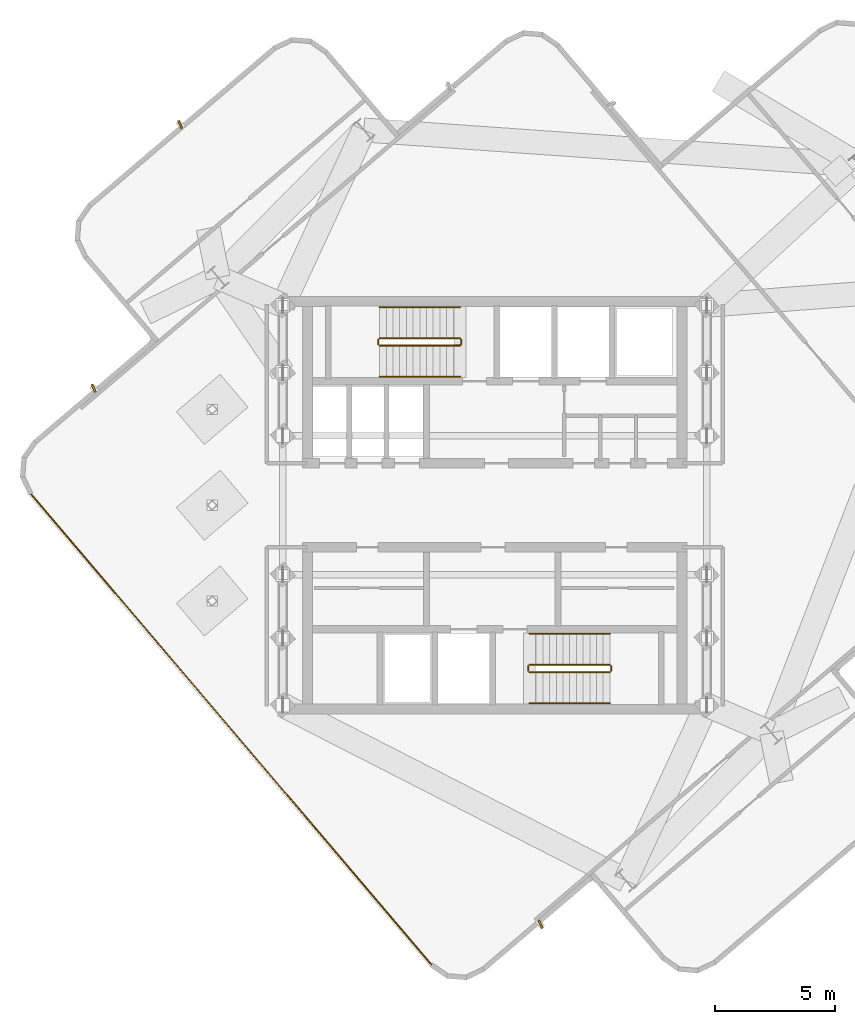
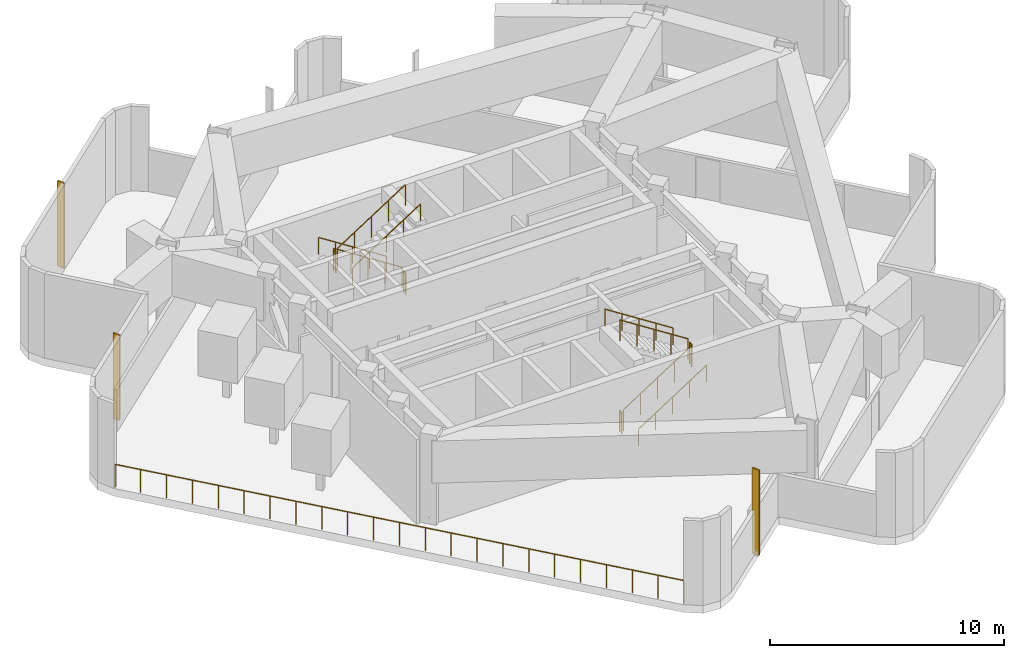
# One storey, part 5 of 7: 13 railings, 3 shading devices.
"""IFC4 building model written with IfcOpenShell, lengths in metres."""

from ifc_helpers import new_model, si_unit, direction, frame, origin, origin_2d, place, context, subcontext, project, spatial, rectangle, circle, extrude, material, layer, layer_set, type_object, element, save


model = new_model("IFC4")

# Units and contexts
model_context = context("Model", 3, precision=1e-05, world=origin(), true_north=direction((0.0, 1.0)))
body_context = subcontext(model_context, "Body", "Model", "MODEL_VIEW")
ifc_project = project(units=[si_unit("LENGTHUNIT", "METRE"), si_unit("AREAUNIT", "SQUARE_METRE"), si_unit("VOLUMEUNIT", "CUBIC_METRE"), si_unit("PLANEANGLEUNIT", "RADIAN"), si_unit("MASSUNIT", "GRAM", prefix="KILO")], contexts=[model_context])

# Site, building, storey
site_placement = place(None, origin())
site = spatial("IfcSite", under=ifc_project, at=site_placement, CompositionType="ELEMENT")
building_placement = place(site_placement, origin())
building = spatial("IfcBuilding", under=site, at=building_placement, Name="Solmarez Civic Tower", CompositionType="ELEMENT")
storey_placement = place(building_placement, frame((0.0, 0.0, 239.39990234375)))
storey = spatial("IfcBuildingStorey", under=building, at=storey_placement, Name="L64", CompositionType="ELEMENT", Elevation=239.39990234375)

# Railings
ifc_material_1 = material(Name="Laminated Structural Safety Glass Pool Balustrade", Category="glass")
railing_type_1 = type_object("IfcRailingType", Name="GUARD-POOL-1220", PredefinedType="BALUSTRADE", material=ifc_material_1)
railing_1_placement = place(storey_placement, frame((-2.626953125, -19.208984375, 0.0)))
element("IfcRailing", 1, at=railing_1_placement, inside=storey, type_object=railing_type_1, Name="L64 Safety Balustrade GRD-SLOT-L64-5-1", PredefinedType="BALUSTRADE", context=body_context, shape_type="SweptSolid", body=[
    extrude(circle(Radius=0.02392578125, at=origin_2d()), frame((0.0, 0.0, 1.19580078125), z_axis=(-0.648104995828, 0.761550992635, 0.0), x_axis=(-0.761550992635, -0.648104995828, 0.0)), (0.0, 0.0, 1.0), 25.8525390625),
    extrude(circle(Radius=0.02099609375, at=origin_2d()), origin(), (0.0, 0.0, 1.0), 1.171875),
    extrude(circle(Radius=0.02099609375, at=origin_2d()), frame((-0.76171875, 0.89501953125, 0.0)), (0.0, 0.0, 1.0), 1.171875),
    extrude(circle(Radius=0.02099609375, at=origin_2d()), frame((-1.523193359375, 1.789794921875, 0.0)), (0.0, 0.0, 1.0), 1.171875),
    extrude(circle(Radius=0.02099609375, at=origin_2d()), frame((-2.28466796875, 2.684814453125, 0.0)), (0.0, 0.0, 1.0), 1.171875),
    extrude(circle(Radius=0.02099609375, at=origin_2d()), frame((-3.04638671875, 3.57958984375, 0.0)), (0.0, 0.0, 1.0), 1.171875),
    extrude(circle(Radius=0.02099609375, at=origin_2d()), frame((-3.80810546875, 4.474609375, 0.0)), (0.0, 0.0, 1.0), 1.171875),
    extrude(circle(Radius=0.02099609375, at=origin_2d()), frame((-4.569580078125, 5.369384765625, 0.0)), (0.0, 0.0, 1.0), 1.171875),
    extrude(circle(Radius=0.02099609375, at=origin_2d()), frame((-5.3310546875, 6.264404296875, 0.0)), (0.0, 0.0, 1.0), 1.171875),
    extrude(circle(Radius=0.02099609375, at=origin_2d()), frame((-6.0927734375, 7.1591796875, 0.0)), (0.0, 0.0, 1.0), 1.171875),
    extrude(circle(Radius=0.02099609375, at=origin_2d()), frame((-6.8544921875, 8.05419921875, 0.0)), (0.0, 0.0, 1.0), 1.171875),
    extrude(circle(Radius=0.02099609375, at=origin_2d()), frame((-7.615966796875, 8.948974609375, 0.0)), (0.0, 0.0, 1.0), 1.171875),
    extrude(circle(Radius=0.02099609375, at=origin_2d()), frame((-8.37744140625, 9.843994140625, 0.0)), (0.0, 0.0, 1.0), 1.171875),
    extrude(circle(Radius=0.02099609375, at=origin_2d()), frame((-9.13916015625, 10.739013671875, 0.0)), (0.0, 0.0, 1.0), 1.171875),
    extrude(circle(Radius=0.02099609375, at=origin_2d()), frame((-9.90087890625, 11.6337890625, 0.0)), (0.0, 0.0, 1.0), 1.171875),
    extrude(circle(Radius=0.02099609375, at=origin_2d()), frame((-10.662353515625, 12.52880859375, 0.0)), (0.0, 0.0, 1.0), 1.171875),
    extrude(circle(Radius=0.02099609375, at=origin_2d()), frame((-11.423828125, 13.423583984375, 0.0)), (0.0, 0.0, 1.0), 1.171875),
    extrude(circle(Radius=0.02099609375, at=origin_2d()), frame((-12.185546875, 14.318603515625, 0.0)), (0.0, 0.0, 1.0), 1.171875),
    extrude(circle(Radius=0.02099609375, at=origin_2d()), frame((-12.947265625, 15.21337890625, 0.0)), (0.0, 0.0, 1.0), 1.171875),
    extrude(circle(Radius=0.02099609375, at=origin_2d()), frame((-13.708740234375, 16.1083984375, 0.0)), (0.0, 0.0, 1.0), 1.171875),
    extrude(circle(Radius=0.02099609375, at=origin_2d()), frame((-14.47021484375, 17.003173828125, 0.0)), (0.0, 0.0, 1.0), 1.171875),
    extrude(circle(Radius=0.02099609375, at=origin_2d()), frame((-15.23193359375, 17.898193359375, 0.0)), (0.0, 0.0, 1.0), 1.171875),
    extrude(circle(Radius=0.02099609375, at=origin_2d()), frame((-15.99365234375, 18.79296875, 0.0)), (0.0, 0.0, 1.0), 1.171875),
    extrude(circle(Radius=0.02099609375, at=origin_2d()), frame((-16.755126953125, 19.68798828125, 0.0)), (0.0, 0.0, 1.0), 1.171875),
])
ifc_material_2 = material(Name="Painted Steel Stairwell Safety Guard", Category="steel")
railing_type_2 = type_object("IfcRailingType", Name="GUARD-STAIR-1120", PredefinedType="BALUSTRADE", material=ifc_material_2)
railing_2_placement = place(storey_placement, frame((-1.449951171875, 6.969970703125, 0.18017578125)))
element("IfcRailing", 2, at=railing_2_placement, inside=storey, type_object=railing_type_2, Name="L64 ST-1 stair guard 1", PredefinedType="BALUSTRADE", context=body_context, shape_type="SweptSolid", body=[
    extrude(circle(Radius=0.02392578125, at=origin_2d()), frame((0.0, 0.0, 1.09619140625), z_axis=(-0.84119634759, 0.0, 0.540729789082), x_axis=(0.0, -1.0, 0.0)), (0.0, 0.0, 1.0), 3.994384765625),
    extrude(circle(Radius=0.02099609375, at=origin_2d()), origin(), (0.0, 0.0, 1.0), 1.072021484375),
    extrude(circle(Radius=0.02099609375, at=origin_2d()), frame((-0.840087890625, 0.0, 0.5400390625)), (0.0, 0.0, 1.0), 1.072021484375),
    extrude(circle(Radius=0.02099609375, at=origin_2d()), frame((-1.68017578125, 0.0, 1.080078125)), (0.0, 0.0, 1.0), 1.072021484375),
    extrude(circle(Radius=0.02099609375, at=origin_2d()), frame((-2.52001953125, 0.0, 1.619873046875)), (0.0, 0.0, 1.0), 1.072021484375),
    extrude(circle(Radius=0.02099609375, at=origin_2d()), frame((-3.360107421875, 0.0, 2.159912109375)), (0.0, 0.0, 1.0), 1.072021484375),
])
railing_3_placement = place(storey_placement, frame((-4.860107421875, 6.919921875, 2.340087890625)))
element("IfcRailing", 3, at=railing_3_placement, inside=storey, type_object=railing_type_2, Name="L64 ST-1 stair guard 2", PredefinedType="BALUSTRADE", context=body_context, shape_type="SweptSolid", body=[
    extrude(circle(Radius=0.02392578125, at=origin_2d()), frame((0.0, 0.0, 1.09619140625), z_axis=(0.0, -1.0, 0.0), x_axis=(1.0, 0.0, 0.0)), (0.0, 0.0, 1.0), 0.199951171875),
    extrude(circle(Radius=0.02099609375, at=origin_2d()), origin(), (0.0, 0.0, 1.0), 1.072021484375),
    extrude(circle(Radius=0.02099609375, at=origin_2d()), frame((0.0, -0.199951171875, 0.0)), (0.0, 0.0, 1.0), 1.072021484375),
])
railing_4_placement = place(storey_placement, frame((-4.81005859375, 6.669921875, 2.52001953125)))
element("IfcRailing", 4, at=railing_4_placement, inside=storey, type_object=railing_type_2, Name="L64 ST-1 stair guard 3", PredefinedType="BALUSTRADE", context=body_context, shape_type="SweptSolid", body=[
    extrude(circle(Radius=0.02392578125, at=origin_2d()), frame((0.0, 0.0, 1.09619140625), z_axis=(0.8411685463, 0.0, 0.540773036232), x_axis=(0.0, 1.0, 0.0)), (0.0, 0.0, 1.0), 3.99462890625),
    extrude(circle(Radius=0.02099609375, at=origin_2d()), origin(), (0.0, 0.0, 1.0), 1.072021484375),
    extrude(circle(Radius=0.02099609375, at=origin_2d()), frame((0.840087890625, 0.0, 0.5400390625)), (0.0, 0.0, 1.0), 1.072021484375),
    extrude(circle(Radius=0.02099609375, at=origin_2d()), frame((1.68017578125, 0.0, 1.080078125)), (0.0, 0.0, 1.0), 1.072021484375),
    extrude(circle(Radius=0.02099609375, at=origin_2d()), frame((2.52001953125, 0.0, 1.6201171875)), (0.0, 0.0, 1.0), 1.072021484375),
    extrude(circle(Radius=0.02099609375, at=origin_2d()), frame((3.360107421875, 0.0, 2.16015625)), (0.0, 0.0, 1.0), 1.072021484375),
])
railing_5_placement = place(storey_placement, frame((-1.39990234375, 6.919921875, 0.0)))
element("IfcRailing", 5, at=railing_5_placement, inside=storey, type_object=railing_type_2, Name="L64 ST-1 stair guard 4", PredefinedType="BALUSTRADE", context=body_context, shape_type="SweptSolid", body=[
    extrude(circle(Radius=0.02392578125, at=origin_2d()), frame((0.0, 0.0, 1.09619140625), z_axis=(0.0, -1.0, 0.0), x_axis=(1.0, 0.0, 0.0)), (0.0, 0.0, 1.0), 0.199951171875),
    extrude(circle(Radius=0.02099609375, at=origin_2d()), origin(), (0.0, 0.0, 1.0), 1.072021484375),
    extrude(circle(Radius=0.02099609375, at=origin_2d()), frame((0.0, -0.199951171875, 0.0)), (0.0, 0.0, 1.0), 1.072021484375),
])
railing_6_placement = place(storey_placement, frame((1.449951171875, -6.969970703125, 0.18017578125)))
element("IfcRailing", 6, at=railing_6_placement, inside=storey, type_object=railing_type_2, Name="L64 ST-2 stair guard 1", PredefinedType="BALUSTRADE", context=body_context, shape_type="SweptSolid", body=[
    extrude(circle(Radius=0.02392578125, at=origin_2d()), frame((0.0, 0.0, 1.09619140625), z_axis=(0.84119634759, 0.0, 0.540729789082), x_axis=(0.0, 1.0, 0.0)), (0.0, 0.0, 1.0), 3.994384765625),
    extrude(circle(Radius=0.02099609375, at=origin_2d()), origin(), (0.0, 0.0, 1.0), 1.072021484375),
    extrude(circle(Radius=0.02099609375, at=origin_2d()), frame((0.840087890625, 0.0, 0.5400390625)), (0.0, 0.0, 1.0), 1.072021484375),
    extrude(circle(Radius=0.02099609375, at=origin_2d()), frame((1.68017578125, 0.0, 1.080078125)), (0.0, 0.0, 1.0), 1.072021484375),
    extrude(circle(Radius=0.02099609375, at=origin_2d()), frame((2.52001953125, 0.0, 1.619873046875)), (0.0, 0.0, 1.0), 1.072021484375),
    extrude(circle(Radius=0.02099609375, at=origin_2d()), frame((3.360107421875, 0.0, 2.159912109375)), (0.0, 0.0, 1.0), 1.072021484375),
])
railing_7_placement = place(storey_placement, frame((4.860107421875, -6.919921875, 2.340087890625)))
element("IfcRailing", 7, at=railing_7_placement, inside=storey, type_object=railing_type_2, Name="L64 ST-2 stair guard 2", PredefinedType="BALUSTRADE", context=body_context, shape_type="SweptSolid", body=[
    extrude(circle(Radius=0.02392578125, at=origin_2d()), frame((0.0, 0.0, 1.09619140625), z_axis=(0.0, 1.0, 0.0), x_axis=(-1.0, 0.0, 0.0)), (0.0, 0.0, 1.0), 0.199951171875),
    extrude(circle(Radius=0.02099609375, at=origin_2d()), origin(), (0.0, 0.0, 1.0), 1.072021484375),
    extrude(circle(Radius=0.02099609375, at=origin_2d()), frame((0.0, 0.199951171875, 0.0)), (0.0, 0.0, 1.0), 1.072021484375),
])
railing_8_placement = place(storey_placement, frame((4.81005859375, -6.669921875, 2.52001953125)))
element("IfcRailing", 8, at=railing_8_placement, inside=storey, type_object=railing_type_2, Name="L64 ST-2 stair guard 3", PredefinedType="BALUSTRADE", context=body_context, shape_type="SweptSolid", body=[
    extrude(circle(Radius=0.02392578125, at=origin_2d()), frame((0.0, 0.0, 1.09619140625), z_axis=(-0.8411685463, 0.0, 0.540773036232), x_axis=(0.0, -1.0, 0.0)), (0.0, 0.0, 1.0), 3.99462890625),
    extrude(circle(Radius=0.02099609375, at=origin_2d()), origin(), (0.0, 0.0, 1.0), 1.072021484375),
    extrude(circle(Radius=0.02099609375, at=origin_2d()), frame((-0.840087890625, 0.0, 0.5400390625)), (0.0, 0.0, 1.0), 1.072021484375),
    extrude(circle(Radius=0.02099609375, at=origin_2d()), frame((-1.68017578125, 0.0, 1.080078125)), (0.0, 0.0, 1.0), 1.072021484375),
    extrude(circle(Radius=0.02099609375, at=origin_2d()), frame((-2.52001953125, 0.0, 1.6201171875)), (0.0, 0.0, 1.0), 1.072021484375),
    extrude(circle(Radius=0.02099609375, at=origin_2d()), frame((-3.360107421875, 0.0, 2.16015625)), (0.0, 0.0, 1.0), 1.072021484375),
])
railing_9_placement = place(storey_placement, frame((1.39990234375, -6.919921875, 0.0)))
element("IfcRailing", 9, at=railing_9_placement, inside=storey, type_object=railing_type_2, Name="L64 ST-2 stair guard 4", PredefinedType="BALUSTRADE", context=body_context, shape_type="SweptSolid", body=[
    extrude(circle(Radius=0.02392578125, at=origin_2d()), frame((0.0, 0.0, 1.09619140625), z_axis=(0.0, 1.0, 0.0), x_axis=(-1.0, 0.0, 0.0)), (0.0, 0.0, 1.0), 0.199951171875),
    extrude(circle(Radius=0.02099609375, at=origin_2d()), origin(), (0.0, 0.0, 1.0), 1.072021484375),
    extrude(circle(Radius=0.02099609375, at=origin_2d()), frame((0.0, 0.199951171875, 0.0)), (0.0, 0.0, 1.0), 1.072021484375),
])
ifc_material_3 = material(Name="Brushed Stainless Steel Tube Handrail", Category="steel")
railing_type_3 = type_object("IfcRailingType", Name="HANDRAIL-STAIR-900", PredefinedType="HANDRAIL", material=ifc_material_3)
railing_10_placement = place(storey_placement, frame((-1.449951171875, 8.27001953125, 0.18017578125)))
element("IfcRailing", 10, at=railing_10_placement, inside=storey, type_object=railing_type_3, Name="L64 ST-1 stair handrail 1", PredefinedType="HANDRAIL", context=body_context, shape_type="SweptSolid", body=[
    extrude(circle(Radius=0.02392578125, at=origin_2d()), frame((0.0, 0.0, 0.8759765625), z_axis=(-0.84119634759, 0.0, 0.540729789082), x_axis=(0.0, -1.0, 0.0)), (0.0, 0.0, 1.0), 3.994384765625),
    extrude(circle(Radius=0.02099609375, at=origin_2d()), origin(), (0.0, 0.0, 1.0), 0.851806640625),
    extrude(circle(Radius=0.02099609375, at=origin_2d()), frame((-0.840087890625, 0.0, 0.5400390625)), (0.0, 0.0, 1.0), 0.851806640625),
    extrude(circle(Radius=0.02099609375, at=origin_2d()), frame((-1.68017578125, 0.0, 1.080078125)), (0.0, 0.0, 1.0), 0.851806640625),
    extrude(circle(Radius=0.02099609375, at=origin_2d()), frame((-2.52001953125, 0.0, 1.619873046875)), (0.0, 0.0, 1.0), 0.851806640625),
    extrude(circle(Radius=0.02099609375, at=origin_2d()), frame((-3.360107421875, 0.0, 2.159912109375)), (0.0, 0.0, 1.0), 0.851806640625),
])
railing_11_placement = place(storey_placement, frame((-4.81005859375, 5.3701171875, 2.52001953125)))
element("IfcRailing", 11, at=railing_11_placement, inside=storey, type_object=railing_type_3, Name="L64 ST-1 stair handrail 2", PredefinedType="HANDRAIL", context=body_context, shape_type="SweptSolid", body=[
    extrude(circle(Radius=0.02392578125, at=origin_2d()), frame((0.0, 0.0, 0.8759765625), z_axis=(0.8411685463, 0.0, 0.540773036232), x_axis=(0.0, 1.0, 0.0)), (0.0, 0.0, 1.0), 3.99462890625),
    extrude(circle(Radius=0.02099609375, at=origin_2d()), origin(), (0.0, 0.0, 1.0), 0.851806640625),
    extrude(circle(Radius=0.02099609375, at=origin_2d()), frame((0.840087890625, 0.0, 0.5400390625)), (0.0, 0.0, 1.0), 0.851806640625),
    extrude(circle(Radius=0.02099609375, at=origin_2d()), frame((1.68017578125, 0.0, 1.080078125)), (0.0, 0.0, 1.0), 0.851806640625),
    extrude(circle(Radius=0.02099609375, at=origin_2d()), frame((2.52001953125, 0.0, 1.6201171875)), (0.0, 0.0, 1.0), 0.851806640625),
    extrude(circle(Radius=0.02099609375, at=origin_2d()), frame((3.360107421875, 0.0, 2.16015625)), (0.0, 0.0, 1.0), 0.851806640625),
])
railing_12_placement = place(storey_placement, frame((1.449951171875, -8.27001953125, 0.18017578125)))
element("IfcRailing", 12, at=railing_12_placement, inside=storey, type_object=railing_type_3, Name="L64 ST-2 stair handrail 1", PredefinedType="HANDRAIL", context=body_context, shape_type="SweptSolid", body=[
    extrude(circle(Radius=0.02392578125, at=origin_2d()), frame((0.0, 0.0, 0.8759765625), z_axis=(0.84119634759, 0.0, 0.540729789082), x_axis=(0.0, 1.0, 0.0)), (0.0, 0.0, 1.0), 3.994384765625),
    extrude(circle(Radius=0.02099609375, at=origin_2d()), origin(), (0.0, 0.0, 1.0), 0.851806640625),
    extrude(circle(Radius=0.02099609375, at=origin_2d()), frame((0.840087890625, 0.0, 0.5400390625)), (0.0, 0.0, 1.0), 0.851806640625),
    extrude(circle(Radius=0.02099609375, at=origin_2d()), frame((1.68017578125, 0.0, 1.080078125)), (0.0, 0.0, 1.0), 0.851806640625),
    extrude(circle(Radius=0.02099609375, at=origin_2d()), frame((2.52001953125, 0.0, 1.619873046875)), (0.0, 0.0, 1.0), 0.851806640625),
    extrude(circle(Radius=0.02099609375, at=origin_2d()), frame((3.360107421875, 0.0, 2.159912109375)), (0.0, 0.0, 1.0), 0.851806640625),
])
railing_13_placement = place(storey_placement, frame((4.81005859375, -5.3701171875, 2.52001953125)))
element("IfcRailing", 13, at=railing_13_placement, inside=storey, type_object=railing_type_3, Name="L64 ST-2 stair handrail 2", PredefinedType="HANDRAIL", context=body_context, shape_type="SweptSolid", body=[
    extrude(circle(Radius=0.02392578125, at=origin_2d()), frame((0.0, 0.0, 0.8759765625), z_axis=(-0.8411685463, 0.0, 0.540773036232), x_axis=(0.0, -1.0, 0.0)), (0.0, 0.0, 1.0), 3.99462890625),
    extrude(circle(Radius=0.02099609375, at=origin_2d()), origin(), (0.0, 0.0, 1.0), 0.851806640625),
    extrude(circle(Radius=0.02099609375, at=origin_2d()), frame((-0.840087890625, 0.0, 0.5400390625)), (0.0, 0.0, 1.0), 0.851806640625),
    extrude(circle(Radius=0.02099609375, at=origin_2d()), frame((-1.68017578125, 0.0, 1.080078125)), (0.0, 0.0, 1.0), 0.851806640625),
    extrude(circle(Radius=0.02099609375, at=origin_2d()), frame((-2.52001953125, 0.0, 1.6201171875)), (0.0, 0.0, 1.0), 0.851806640625),
    extrude(circle(Radius=0.02099609375, at=origin_2d()), frame((-3.360107421875, 0.0, 2.16015625)), (0.0, 0.0, 1.0), 0.851806640625),
])

# Shading devices
ifc_material_4 = material(Name="Bronze Anodised Aluminium EN AW-6063 T6", Category="aluminium")
ifc_layer = layer(ifc_material_4, 0.080078125)
ifc_layer_set = layer_set([ifc_layer], Name="Bronze Anodised Aluminium EN AW-6063 T6")
shading_device_type = type_object("IfcShadingDeviceType", Name="LOUVRE-PLANT-1", PredefinedType="USERDEFINED", material=ifc_layer_set)
for number, where, z_axis, x_axis, name in (
    (14, (1.9140625, -17.510009765625, -0.039794921875), (0.0, 0.0, 1.0), (0.422602443621, -0.906315162979, 0.0), "L64 Acoustic Plant Louvre LVR-L64-01"),
    (15, (-16.75, 4.884033203125, -0.039794921875), (0.0, 0.0, 1.0), (-0.422586625373, 0.906322538645, 0.0), "L64 Acoustic Plant Louvre LVR-L64-02"),
    (16, (-13.138916015625, 15.90087890625, -0.039794921875), (0.0, 0.0, 1.0), (-0.422618261741, 0.906307787037, 0.0), "L64 Acoustic Plant Louvre LVR-L64-03"),
):
    element("IfcShadingDevice", number, at=place(storey_placement, frame(where, z_axis=z_axis, x_axis=x_axis)), inside=storey, type_object=shading_device_type, Name=name, ObjectType="LOUVRE", PredefinedType="USERDEFINED", context=body_context, shape_type="SweptSolid", body=[
        extrude(rectangle(XDim=0.35009765625, YDim=0.080078125, at=origin_2d()), origin(), (0.0, 0.0, 1.0), 4.4599609375),
    ])

save(model, "model.ifc")
